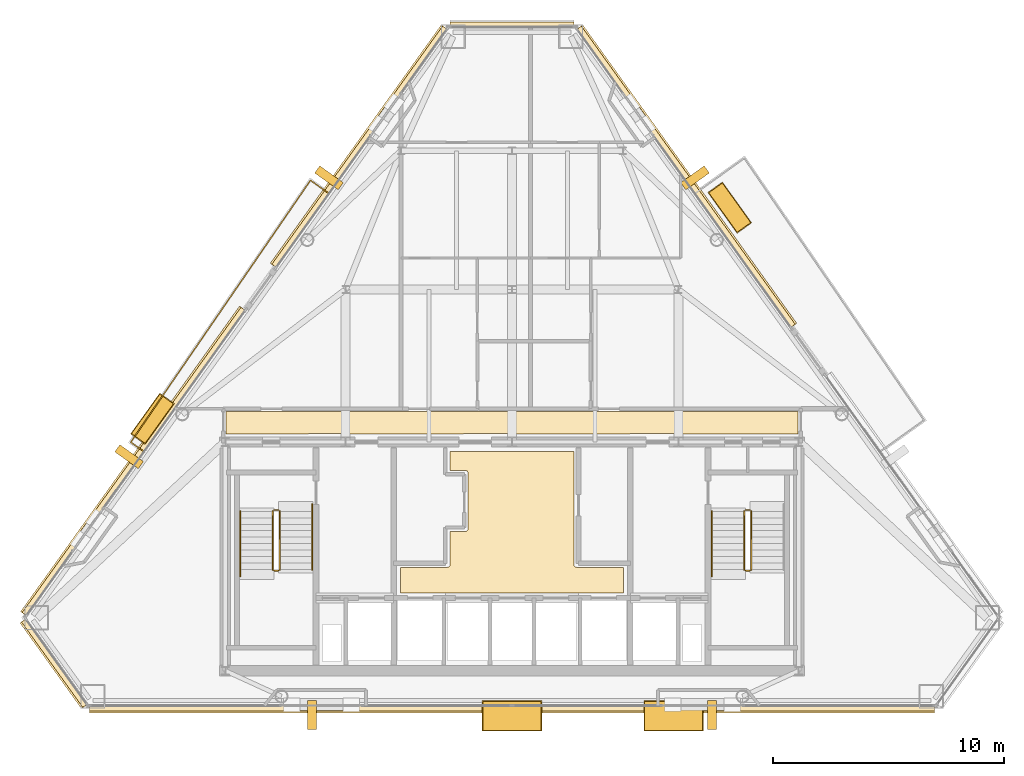
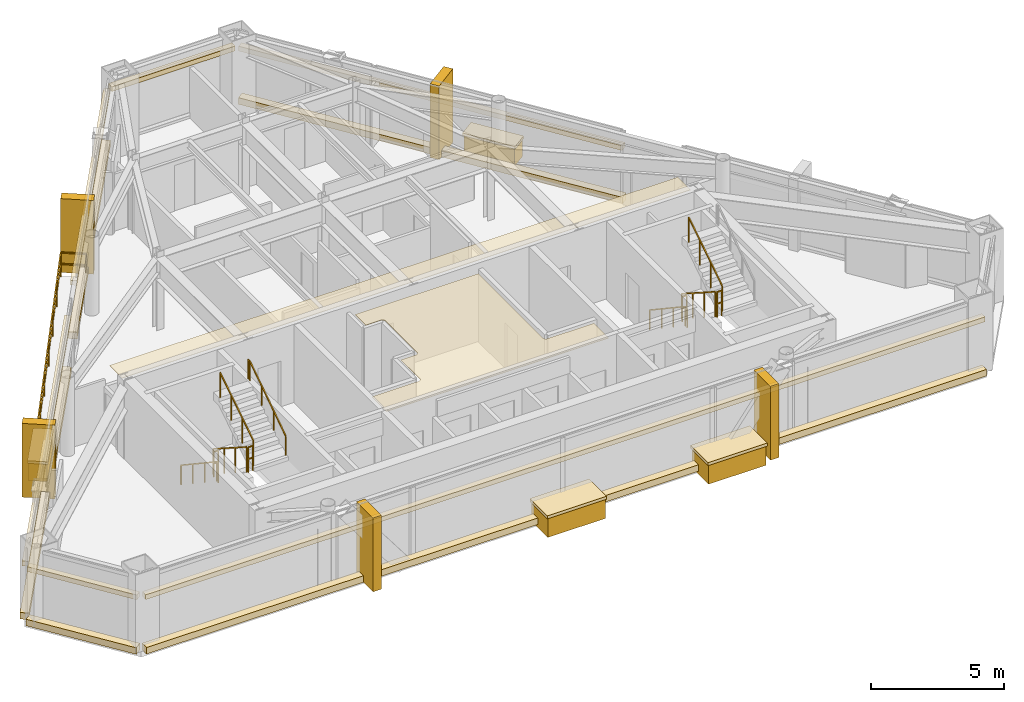
# One storey, part 10 of 11: 26 coverings, 12 railings.
"""IFC4 building model written with IfcOpenShell, lengths in metres."""

from ifc_helpers import new_model, si_unit, direction, frame, origin, origin_2d, place, context, subcontext, project, spatial, polyline, rectangle, outline, extrude, material, layer, layer_set, type_object, element, save


model = new_model("IFC4")

# Units and contexts
model_context = context("Model", 3, precision=1e-05, world=origin(), true_north=direction((0.0, 1.0)))
body_context = subcontext(model_context, "Body", "Model", "MODEL_VIEW")
ifc_project = project(units=[si_unit("LENGTHUNIT", "METRE"), si_unit("AREAUNIT", "SQUARE_METRE"), si_unit("VOLUMEUNIT", "CUBIC_METRE"), si_unit("PLANEANGLEUNIT", "RADIAN"), si_unit("MASSUNIT", "GRAM", prefix="KILO")], contexts=[model_context])

# Site, building, storey
site_placement = place(None, origin())
site = spatial("IfcSite", under=ifc_project, at=site_placement, CompositionType="ELEMENT")
building_placement = place(site_placement, origin())
building = spatial("IfcBuilding", under=site, at=building_placement, Name="Talgorran Terracotta Tower", CompositionType="ELEMENT")
storey_placement = place(building_placement, frame((0.0, 0.0, 233.39990234375)))
storey = spatial("IfcBuildingStorey", under=building, at=storey_placement, Name="L61", CompositionType="ELEMENT", Elevation=233.39990234375)

# Coverings
ifc_material_1 = material(Name="Kiln-Fired Terracotta Ochre Ceramic", Category="masonry")
ifc_layer_1 = layer(ifc_material_1, 0.179931640625, Name="COV_BAGUETTE_TERRACOTTA_SCREEN")
ifc_layer_set_1 = layer_set([ifc_layer_1], Name="Kiln-Fired Terracotta Ochre Ceramic")
covering_type_1 = type_object("IfcCoveringType", Name="COV_BAGUETTE_TERRACOTTA_SCREEN", PredefinedType="CLADDING", material=ifc_layer_set_1)
covering_1_placement = place(storey_placement, frame((-19.7880859375, -13.76318359375, 2.41015625), z_axis=(0.0, 0.0, 1.0), x_axis=(0.582662110936, -0.812714503673, 0.0)))
element("IfcCovering", 1, at=covering_1_placement, inside=storey, type_object=covering_type_1, Name="L61 Terracotta Baguette Solar Screen Assembly F0", PredefinedType="CLADDING", context=body_context, shape_type="SweptSolid", body=[
    extrude(rectangle(XDim=4.542724609375, YDim=0.260009765625, at=origin_2d()), origin(), (0.0, 0.0, 1.0), 0.219970703125),
])
covering_2_placement = place(storey_placement, frame((0.0, -15.707763671875, 2.41015625), z_axis=(0.0, 0.0, 1.0), x_axis=(1.0, 0.0, 0.0)))
element("IfcCovering", 2, at=covering_2_placement, inside=storey, type_object=covering_type_1, Name="L61 Terracotta Baguette Solar Screen Assembly F1", PredefinedType="CLADDING", context=body_context, shape_type="SweptSolid", body=[
    extrude(rectangle(XDim=36.545166015625, YDim=0.260009765625, at=origin_2d()), origin(), (0.0, 0.0, 1.0), 0.219970703125),
])
covering_3_placement = place(storey_placement, frame((7.521728515625, 7.2685546875, 2.41015625), z_axis=(0.0, 0.0, 1.0), x_axis=(-0.582662110936, 0.812714503673, 0.0)))
element("IfcCovering", 3, at=covering_3_placement, inside=storey, type_object=covering_type_1, Name="L61 Terracotta Baguette Solar Screen Assembly F41", PredefinedType="CLADDING", context=body_context, shape_type="SweptSolid", body=[
    extrude(rectangle(XDim=15.8701171875, YDim=0.260009765625, at=origin_2d()), origin(), (0.0, 0.0, 1.0), 0.219970703125),
])
covering_4_placement = place(storey_placement, frame((0.0, 13.8486328125, 2.41015625), z_axis=(0.0, 0.0, 1.0), x_axis=(-1.0, 0.0, 0.0)))
element("IfcCovering", 4, at=covering_4_placement, inside=storey, type_object=covering_type_1, Name="L61 Terracotta Baguette Solar Screen Assembly F4", PredefinedType="CLADDING", context=body_context, shape_type="SweptSolid", body=[
    extrude(rectangle(XDim=5.36572265625, YDim=0.260009765625, at=origin_2d()), origin(), (0.0, 0.0, 1.0), 0.219970703125),
])
covering_5_placement = place(storey_placement, frame((-6.5908203125, 8.56689453125, 2.41015625), z_axis=(0.0, 0.0, 1.0), x_axis=(-0.582662110936, -0.812714503673, 0.0)))
element("IfcCovering", 5, at=covering_5_placement, inside=storey, type_object=covering_type_1, Name="L61 Terracotta Baguette Solar Screen Assembly F60", PredefinedType="CLADDING", context=body_context, shape_type="SweptSolid", body=[
    extrude(rectangle(XDim=12.675048828125, YDim=0.260009765625, at=origin_2d()), origin(), (0.0, 0.0, 1.0), 0.219970703125),
])
covering_6_placement = place(storey_placement, frame((-16.35595703125, -5.0537109375, 2.41015625), z_axis=(0.0, 0.0, 1.0), x_axis=(-0.582662110936, -0.812714503673, 0.0)))
element("IfcCovering", 6, at=covering_6_placement, inside=storey, type_object=covering_type_1, Name="L61 Terracotta Baguette Solar Screen Assembly F61", PredefinedType="CLADDING", context=body_context, shape_type="SweptSolid", body=[
    extrude(rectangle(XDim=16.24365234375, YDim=0.260009765625, at=origin_2d()), origin(), (0.0, 0.0, 1.0), 0.219970703125),
])
ifc_material_2 = material(Name="Mineral Fibre Acoustic Tile")
ifc_layer_2 = layer(ifc_material_2, 0.02490234375, Name="COV_CEIL_ACOUSTIC")
ifc_layer_set_2 = layer_set([ifc_layer_2], Name="Mineral Fibre Acoustic Tile")
covering_type_2 = type_object("IfcCoveringType", Name="COV_CEIL_ACOUSTIC", PredefinedType="CEILING", material=ifc_layer_set_2)
covering_7_placement = place(storey_placement, frame((0.0, 0.0, 3.255126953125)))
element("IfcCovering", 7, at=covering_7_placement, inside=storey, type_object=covering_type_2, Name="CEIL-L61-2", PredefinedType="CEILING", context=body_context, shape_type="SweptSolid", body=[
    extrude(outline(polyline([(-12.364990234375, -2.885009765625), (12.364990234375, -2.885009765625), (12.364990234375, -3.844970703125), (7.432861328125, -3.844970703125), (6.968017578125, -3.843017578125), (6.967529296875, -3.843017578125), (0.232666015625, -3.844970703125), (-0.23193359375, -3.843017578125), (-0.232421875, -3.843017578125), (-6.96728515625, -3.844970703125), (-7.431884765625, -3.843017578125), (-7.4326171875, -3.843017578125), (-12.364990234375, -3.844970703125), (-12.364990234375, -2.885009765625)])), origin(), (0.0, 0.0, 1.0), 0.02001953125),
])
ifc_material_3 = material(Name="Flush Moisture-Resistant Plaster")
ifc_layer_3 = layer(ifc_material_3, 0.01806640625, Name="COV_CEIL_PLASTER")
ifc_layer_set_3 = layer_set([ifc_layer_3], Name="Flush Moisture-Resistant Plaster")
covering_type_3 = type_object("IfcCoveringType", Name="COV_CEIL_PLASTER", PredefinedType="CEILING", material=ifc_layer_set_3)
covering_8_placement = place(storey_placement, frame((0.0, 0.0, 3.255126953125)))
element("IfcCovering", 8, at=covering_8_placement, inside=storey, type_object=covering_type_3, Name="CEIL-L61-1", PredefinedType="CEILING", context=body_context, shape_type="SweptSolid", body=[
    extrude(outline(polyline([(2.679931640625, -4.6201171875), (2.679931640625, -9.5), (2.6806640625, -9.51171875), (2.682373046875, -9.5234375), (2.685302734375, -9.534912109375), (2.689208984375, -9.5458984375), (2.694091796875, -9.556640625), (2.7001953125, -9.566650390625), (2.707275390625, -9.576171875), (2.715087890625, -9.5849609375), (2.723876953125, -9.5927734375), (2.7333984375, -9.599853515625), (2.743408203125, -9.605712890625), (2.754150390625, -9.61083984375), (2.76513671875, -9.61474609375), (2.776611328125, -9.61767578125), (2.7880859375, -9.619384765625), (2.800048828125, -9.6201171875), (4.830078125, -9.6201171875), (4.830078125, -10.72998046875), (-4.830078125, -10.72998046875), (-4.830078125, -9.6201171875), (-2.800048828125, -9.6201171875), (-2.7880859375, -9.619384765625), (-2.776611328125, -9.61767578125), (-2.76513671875, -9.61474609375), (-2.754150390625, -9.61083984375), (-2.743408203125, -9.605712890625), (-2.7333984375, -9.599853515625), (-2.723876953125, -9.5927734375), (-2.715087890625, -9.5849609375), (-2.707275390625, -9.576171875), (-2.7001953125, -9.566650390625), (-2.694091796875, -9.556640625), (-2.689208984375, -9.5458984375), (-2.685302734375, -9.534912109375), (-2.682373046875, -9.5234375), (-2.6806640625, -9.51171875), (-2.679931640625, -9.5), (-2.679931640625, -8.070068359375), (-2.02001953125, -8.070068359375), (-2.00830078125, -8.0693359375), (-1.99658203125, -8.067626953125), (-1.985107421875, -8.064697265625), (-1.97412109375, -8.060791015625), (-1.96337890625, -8.055908203125), (-1.953369140625, -8.0498046875), (-1.94384765625, -8.042724609375), (-1.93505859375, -8.034912109375), (-1.92724609375, -8.026123046875), (-1.920166015625, -8.0166015625), (-1.914306640625, -8.006591796875), (-1.9091796875, -7.995849609375), (-1.9052734375, -7.98486328125), (-1.90234375, -7.973388671875), (-1.900634765625, -7.9619140625), (-1.89990234375, -7.949951171875), (-1.89990234375, -5.550048828125), (-1.900634765625, -5.5380859375), (-1.90234375, -5.526611328125), (-1.9052734375, -5.51513671875), (-1.9091796875, -5.504150390625), (-1.914306640625, -5.493408203125), (-1.920166015625, -5.4833984375), (-1.92724609375, -5.473876953125), (-1.93505859375, -5.465087890625), (-1.94384765625, -5.457275390625), (-1.953369140625, -5.4501953125), (-1.96337890625, -5.444091796875), (-1.97412109375, -5.439208984375), (-1.985107421875, -5.435302734375), (-1.99658203125, -5.432373046875), (-2.00830078125, -5.4306640625), (-2.02001953125, -5.429931640625), (-2.679931640625, -5.429931640625), (-2.679931640625, -4.6201171875), (2.679931640625, -4.6201171875)])), origin(), (0.0, 0.0, 1.0), 0.02001953125),
])
ifc_material_4 = material(Name="Honed Limestone and Terracotta Planter", Category="masonry")
ifc_layer_4 = layer(ifc_material_4, 0.1201171875, Name="COV_PLANTER_BOX")
ifc_layer_set_4 = layer_set([ifc_layer_4], Name="Honed Limestone and Terracotta Planter")
covering_type_4 = type_object("IfcCoveringType", Name="COV_PLANTER_BOX", PredefinedType="CLADDING", material=ifc_layer_set_4)
for number, where, z_axis, x_axis, name in (
    (9, (0.0, -16.0478515625, -0.179931640625), (0.0, 0.0, 1.0), (1.0, 0.0, 0.0), "L61 Staggered South Facade Planter Box 1"),
    (10, (6.99365234375, -16.0478515625, -0.179931640625), (0.0, 0.0, 1.0), (1.0, 0.0, 0.0), "L61 Staggered South Facade Planter Box 2"),
):
    element("IfcCovering", number, at=place(storey_placement, frame(where, z_axis=z_axis, x_axis=x_axis)), inside=storey, type_object=covering_type_4, Name=name, PredefinedType="CLADDING", context=body_context, shape_type="SweptSolid", body=[
        extrude(rectangle(XDim=2.5, YDim=1.25, at=origin_2d()), origin(), (0.0, 0.0, 1.0), 0.919921875),
    ])
for number, where, z_axis, x_axis, name in (
    (11, (9.422119140625, 5.939453125, -0.02001953125), (0.0, 0.0, 1.0), (-0.582662110936, 0.812714503673, 0.0), "L61 Staggered Balcony Planter Box BAL-NE"),
    (12, (-15.55810546875, -3.194091796875, -0.02001953125), (0.0, 0.0, 1.0), (-0.582662110936, -0.812714503673, 0.0), "L61 Staggered Balcony Planter Box BAL-NW"),
):
    element("IfcCovering", number, at=place(storey_placement, frame(where, z_axis=z_axis, x_axis=x_axis)), inside=storey, type_object=covering_type_4, Name=name, PredefinedType="CLADDING", context=body_context, shape_type="SweptSolid", body=[
        extrude(rectangle(XDim=2.10009765625, YDim=0.719970703125, at=origin_2d()), origin(), (0.0, 0.0, 1.0), 0.860107421875),
    ])
ifc_material_5 = material(Name="Kiln-Fired Terracotta Planter Rim", Category="masonry")
ifc_layer_5 = layer(ifc_material_5, 0.10009765625, Name="COV_PLANTER_RIM")
ifc_layer_set_5 = layer_set([ifc_layer_5], Name="Kiln-Fired Terracotta Planter Rim")
covering_type_5 = type_object("IfcCoveringType", Name="COV_PLANTER_RIM", PredefinedType="CLADDING", material=ifc_layer_set_5)
for number, where, z_axis, x_axis, name in (
    (13, (0.0, -16.0478515625, 0.7099609375), (0.0, 0.0, 1.0), (1.0, 0.0, 0.0), "L61 South Planter Terracotta Rim 1"),
    (14, (6.99365234375, -16.0478515625, 0.7099609375), (0.0, 0.0, 1.0), (1.0, 0.0, 0.0), "L61 South Planter Terracotta Rim 2"),
):
    element("IfcCovering", number, at=place(storey_placement, frame(where, z_axis=z_axis, x_axis=x_axis)), inside=storey, type_object=covering_type_5, Name=name, PredefinedType="CLADDING", context=body_context, shape_type="SweptSolid", body=[
        extrude(rectangle(XDim=2.580078125, YDim=1.320068359375, at=origin_2d()), origin(), (0.0, 0.0, 1.0), 0.139892578125),
    ])
for number, where, z_axis, x_axis, name in (
    (15, (9.422119140625, 5.939453125, 0.800048828125), (0.0, 0.0, 1.0), (-0.582662110936, 0.812714503673, 0.0), "L61 Balcony Planter Terracotta Rim BAL-NE"),
    (16, (-15.55810546875, -3.194091796875, 0.800048828125), (0.0, 0.0, 1.0), (-0.582662110936, -0.812714503673, 0.0), "L61 Balcony Planter Terracotta Rim BAL-NW"),
):
    element("IfcCovering", number, at=place(storey_placement, frame(where, z_axis=z_axis, x_axis=x_axis)), inside=storey, type_object=covering_type_5, Name=name, PredefinedType="CLADDING", context=body_context, shape_type="SweptSolid", body=[
        extrude(rectangle(XDim=2.179931640625, YDim=0.780029296875, at=origin_2d()), origin(), (0.0, 0.0, 1.0), 0.1201171875),
    ])
ifc_material_6 = material(Name="Honed Limestone Cladding", Category="masonry")
ifc_layer_6 = layer(ifc_material_6, 0.094970703125, Name="COV_PORTAL_LIME")
ifc_layer_set_6 = layer_set([ifc_layer_6], Name="Honed Limestone Cladding")
covering_type_6 = type_object("IfcCoveringType", Name="COV_PORTAL_LIME", PredefinedType="CLADDING", material=ifc_layer_set_6)
for number, where, z_axis, x_axis, name in (
    (17, (-8.64990234375, -16.0078125, -0.0498046875), (0.0, 0.0, 1.0), (1.0, 0.0, 0.0), "L61 White Striped Portal Fin F1-1"),
    (18, (-7.919189453125, 7.22900390625, -0.0498046875), (0.0, 0.0, 1.0), (-0.582662110936, -0.812714503673, 0.0), "L61 White Striped Portal Fin F5-1"),
):
    element("IfcCovering", number, at=place(storey_placement, frame(where, z_axis=z_axis, x_axis=x_axis)), inside=storey, type_object=covering_type_6, Name=name, PredefinedType="CLADDING", context=body_context, shape_type="SweptSolid", body=[
        extrude(rectangle(XDim=0.3798828125, YDim=1.25, at=origin_2d()), origin(), (0.0, 0.0, 1.0), 3.39501953125),
    ])
ifc_material_7 = material(Name="Kiln-Fired Terracotta Cladding", Category="masonry")
ifc_layer_7 = layer(ifc_material_7, 0.090087890625, Name="COV_PORTAL_TERRA")
ifc_layer_set_7 = layer_set([ifc_layer_7], Name="Kiln-Fired Terracotta Cladding")
covering_type_7 = type_object("IfcCoveringType", Name="COV_PORTAL_TERRA", PredefinedType="CLADDING", material=ifc_layer_set_7)
covering_9_placement = place(storey_placement, frame((-19.820556640625, -13.78662109375, -0.0400390625), z_axis=(0.0, 0.0, 1.0), x_axis=(0.582662110936, -0.812714503673, 0.0)))
element("IfcCovering", 19, at=covering_9_placement, inside=storey, type_object=covering_type_7, Name="L61 Striped Postmodern Portal Cladding Band F0", PredefinedType="CLADDING", context=body_context, shape_type="SweptSolid", body=[
    extrude(rectangle(XDim=4.562744140625, YDim=0.340087890625, at=origin_2d()), origin(), (0.0, 0.0, 1.0), 0.300048828125),
])
covering_10_placement = place(storey_placement, frame((0.0, -15.747802734375, -0.0400390625), z_axis=(0.0, 0.0, 1.0), x_axis=(1.0, 0.0, 0.0)))
element("IfcCovering", 20, at=covering_10_placement, inside=storey, type_object=covering_type_7, Name="L61 Striped Postmodern Portal Cladding Band F1", PredefinedType="CLADDING", context=body_context, shape_type="SweptSolid", body=[
    extrude(rectangle(XDim=36.565185546875, YDim=0.340087890625, at=origin_2d()), origin(), (0.0, 0.0, 1.0), 0.300048828125),
])
covering_11_placement = place(storey_placement, frame((7.55419921875, 7.291748046875, -0.0400390625), z_axis=(0.0, 0.0, 1.0), x_axis=(-0.582662110936, 0.812714503673, 0.0)))
element("IfcCovering", 21, at=covering_11_placement, inside=storey, type_object=covering_type_7, Name="L61 Striped Postmodern Portal Cladding Band F41", PredefinedType="CLADDING", context=body_context, shape_type="SweptSolid", body=[
    extrude(rectangle(XDim=15.89013671875, YDim=0.340087890625, at=origin_2d()), origin(), (0.0, 0.0, 1.0), 0.300048828125),
])
covering_12_placement = place(storey_placement, frame((-6.623291015625, 8.590087890625, -0.0400390625), z_axis=(0.0, 0.0, 1.0), x_axis=(-0.582662110936, -0.812714503673, 0.0)))
element("IfcCovering", 22, at=covering_12_placement, inside=storey, type_object=covering_type_7, Name="L61 Striped Postmodern Portal Cladding Band F60", PredefinedType="CLADDING", context=body_context, shape_type="SweptSolid", body=[
    extrude(rectangle(XDim=12.695068359375, YDim=0.340087890625, at=origin_2d()), origin(), (0.0, 0.0, 1.0), 0.300048828125),
])
covering_13_placement = place(storey_placement, frame((-16.388427734375, -5.0302734375, -0.0400390625), z_axis=(0.0, 0.0, 1.0), x_axis=(-0.582662110936, -0.812714503673, 0.0)))
element("IfcCovering", 23, at=covering_13_placement, inside=storey, type_object=covering_type_7, Name="L61 Striped Postmodern Portal Cladding Band F61", PredefinedType="CLADDING", context=body_context, shape_type="SweptSolid", body=[
    extrude(rectangle(XDim=16.263671875, YDim=0.340087890625, at=origin_2d()), origin(), (0.0, 0.0, 1.0), 0.300048828125),
])
for number, where, z_axis, x_axis, name in (
    (24, (8.64990234375, -16.0078125, -0.0498046875), (0.0, 0.0, 1.0), (1.0, 0.0, 0.0), "L61 Terracotta Striped Portal Fin F1-2"),
    (25, (7.919189453125, 7.22900390625, -0.0498046875), (0.0, 0.0, 1.0), (-0.582662110936, 0.812714503673, 0.0), "L61 Terracotta Striped Portal Fin F3-2"),
    (26, (-16.569091796875, -4.836181640625, -0.0498046875), (0.0, 0.0, 1.0), (-0.582662110936, -0.812714503673, 0.0), "L61 Terracotta Striped Portal Fin F5-2"),
):
    element("IfcCovering", number, at=place(storey_placement, frame(where, z_axis=z_axis, x_axis=x_axis)), inside=storey, type_object=covering_type_7, Name=name, PredefinedType="CLADDING", context=body_context, shape_type="SweptSolid", body=[
        extrude(rectangle(XDim=0.3798828125, YDim=1.25, at=origin_2d()), origin(), (0.0, 0.0, 1.0), 3.39501953125),
    ])

# Railings
ifc_material_8 = material(Name="Laminated Glass and Stainless Steel 316", Category="steel")
railing_type_1 = type_object("IfcRailingType", Name="RL_BALCONY_1150", PredefinedType="BALUSTRADE", material=ifc_material_8)
railing_1_placement = place(storey_placement, frame((-7.93310546875, 6.5576171875, 0.0)))
element("IfcRailing", 27, at=railing_1_placement, inside=storey, type_object=railing_type_1, Name="RL-L61-BAL-BAL-NW", PredefinedType="BALUSTRADE", context=body_context, shape_type="SweptSolid", body=[
    extrude(rectangle(XDim=0.048095703125, YDim=0.048095703125, at=origin_2d()), frame((0.0, 0.0, 1.1259765625), z_axis=(-0.812743446755, 0.582621738143, 0.0), x_axis=(-0.582621738143, -0.812743446755, 0.0)), (0.0, 0.0, 1.0), 0.967529296875),
    extrude(rectangle(XDim=0.048095703125, YDim=0.048095703125, at=origin_2d()), frame((0.0, 0.0, 0.597900390625), z_axis=(-0.812743446755, 0.582621738143, 0.0), x_axis=(-0.582621738143, -0.812743446755, 0.0)), (0.0, 0.0, 1.0), 0.967529296875),
    extrude(rectangle(XDim=0.048095703125, YDim=0.048095703125, at=origin_2d()), frame((-0.786376953125, 0.563720703125, 1.1259765625), z_axis=(-0.565819049911, -0.824529443233, 0.0), x_axis=(0.824529443233, -0.565819049911, 0.0)), (0.0, 0.0, 1.0), 13.740966796875),
    extrude(rectangle(XDim=0.048095703125, YDim=0.048095703125, at=origin_2d()), frame((-0.786376953125, 0.563720703125, 0.597900390625), z_axis=(-0.565819049911, -0.824529443233, 0.0), x_axis=(0.824529443233, -0.565819049911, 0.0)), (0.0, 0.0, 1.0), 13.740966796875),
    extrude(rectangle(XDim=0.048095703125, YDim=0.048095703125, at=origin_2d()), frame((-8.561279296875, -10.76611328125, 1.1259765625), z_axis=(0.812817127574, -0.582518941428, 0.0), x_axis=(0.582518941428, 0.812817127574, 0.0)), (0.0, 0.0, 1.0), 0.684814453125),
    extrude(rectangle(XDim=0.048095703125, YDim=0.048095703125, at=origin_2d()), frame((-8.561279296875, -10.76611328125, 0.597900390625), z_axis=(0.812817127574, -0.582518941428, 0.0), x_axis=(0.582518941428, 0.812817127574, 0.0)), (0.0, 0.0, 1.0), 0.684814453125),
    extrude(rectangle(XDim=0.0419921875, YDim=0.0419921875, at=origin_2d()), origin(), (0.0, 0.0, 1.0), 1.101806640625),
    extrude(rectangle(XDim=0.0419921875, YDim=0.0419921875, at=origin_2d()), frame((-0.786376953125, 0.563720703125, 0.0)), (0.0, 0.0, 1.0), 1.101806640625),
    extrude(rectangle(XDim=0.0419921875, YDim=0.0419921875, at=origin_2d()), frame((-1.89697265625, -1.054931640625, 0.0)), (0.0, 0.0, 1.0), 1.101806640625),
    extrude(rectangle(XDim=0.0419921875, YDim=0.0419921875, at=origin_2d()), frame((-3.0078125, -2.67333984375, 0.0)), (0.0, 0.0, 1.0), 1.101806640625),
    extrude(rectangle(XDim=0.0419921875, YDim=0.0419921875, at=origin_2d()), frame((-4.118408203125, -4.2919921875, 0.0)), (0.0, 0.0, 1.0), 1.101806640625),
    extrude(rectangle(XDim=0.0419921875, YDim=0.0419921875, at=origin_2d()), frame((-5.229248046875, -5.910400390625, 0.0)), (0.0, 0.0, 1.0), 1.101806640625),
    extrude(rectangle(XDim=0.0419921875, YDim=0.0419921875, at=origin_2d()), frame((-6.33984375, -7.529052734375, 0.0)), (0.0, 0.0, 1.0), 1.101806640625),
    extrude(rectangle(XDim=0.0419921875, YDim=0.0419921875, at=origin_2d()), frame((-7.45068359375, -9.1474609375, 0.0)), (0.0, 0.0, 1.0), 1.101806640625),
    extrude(rectangle(XDim=0.0419921875, YDim=0.0419921875, at=origin_2d()), frame((-8.561279296875, -10.76611328125, 0.0)), (0.0, 0.0, 1.0), 1.101806640625),
    extrude(rectangle(XDim=0.0419921875, YDim=0.0419921875, at=origin_2d()), frame((-8.004638671875, -11.1650390625, 0.0)), (0.0, 0.0, 1.0), 1.101806640625),
])
ifc_material_9 = material(Name="Steel S355 (300PLUS)", Category="steel")
railing_type_2 = type_object("IfcRailingType", Name="RL_HANDRAIL_920", PredefinedType="HANDRAIL", material=ifc_material_9)
railing_2_placement = place(storey_placement, frame((-11.75, -7.199951171875, 0.18017578125)))
element("IfcRailing", 28, at=railing_2_placement, inside=storey, type_object=railing_type_2, Name="L61 ST-01 stair handrail 1", PredefinedType="HANDRAIL", context=body_context, shape_type="SweptSolid", body=[
    extrude(rectangle(XDim=0.048095703125, YDim=0.048095703125, at=origin_2d()), frame((0.0, 0.0, 0.89599609375), z_axis=(0.0, -0.832073444223, 0.554665469827), x_axis=(1.0, 0.0, 0.0)), (0.0, 0.0, 1.0), 3.244873046875),
    extrude(rectangle(XDim=0.048095703125, YDim=0.048095703125, at=origin_2d()), frame((0.0, -2.699951171875, 2.69580078125), z_axis=(0.0, -1.0, 0.0), x_axis=(1.0, 0.0, 0.0)), (0.0, 0.0, 1.0), 0.1201171875),
    extrude(rectangle(XDim=0.0419921875, YDim=0.0419921875, at=origin_2d()), origin(), (0.0, 0.0, 1.0), 0.871826171875),
    extrude(rectangle(XDim=0.0419921875, YDim=0.0419921875, at=origin_2d()), frame((0.0, -0.89990234375, 0.599853515625)), (0.0, 0.0, 1.0), 0.871826171875),
    extrude(rectangle(XDim=0.0419921875, YDim=0.0419921875, at=origin_2d()), frame((0.0, -1.800048828125, 1.199951171875)), (0.0, 0.0, 1.0), 0.871826171875),
    extrude(rectangle(XDim=0.0419921875, YDim=0.0419921875, at=origin_2d()), frame((0.0, -2.699951171875, 1.7998046875)), (0.0, 0.0, 1.0), 0.871826171875),
    extrude(rectangle(XDim=0.0419921875, YDim=0.0419921875, at=origin_2d()), frame((0.0, -2.820068359375, 1.7998046875)), (0.0, 0.0, 1.0), 0.871826171875),
])
railing_3_placement = place(storey_placement, frame((-8.64990234375, -9.719970703125, 1.97998046875)))
element("IfcRailing", 29, at=railing_3_placement, inside=storey, type_object=railing_type_2, Name="L61 ST-01 stair handrail 2", PredefinedType="HANDRAIL", context=body_context, shape_type="SweptSolid", body=[
    extrude(rectangle(XDim=0.048095703125, YDim=0.048095703125, at=origin_2d()), frame((0.0, 0.0, 0.89599609375), z_axis=(0.0, 0.832038719335, 0.554717558338), x_axis=(-1.0, 0.0, 0.0)), (0.0, 0.0, 1.0), 3.244873046875),
    extrude(rectangle(XDim=0.048095703125, YDim=0.048095703125, at=origin_2d()), frame((0.0, 2.699951171875, 2.69580078125), z_axis=(0.0, 1.0, 0.0), x_axis=(-1.0, 0.0, 0.0)), (0.0, 0.0, 1.0), 0.1201171875),
    extrude(rectangle(XDim=0.0419921875, YDim=0.0419921875, at=origin_2d()), origin(), (0.0, 0.0, 1.0), 0.871826171875),
    extrude(rectangle(XDim=0.0419921875, YDim=0.0419921875, at=origin_2d()), frame((0.0, 0.89990234375, 0.60009765625)), (0.0, 0.0, 1.0), 0.871826171875),
    extrude(rectangle(XDim=0.0419921875, YDim=0.0419921875, at=origin_2d()), frame((0.0, 1.800048828125, 1.199951171875)), (0.0, 0.0, 1.0), 0.871826171875),
    extrude(rectangle(XDim=0.0419921875, YDim=0.0419921875, at=origin_2d()), frame((0.0, 2.699951171875, 1.800048828125)), (0.0, 0.0, 1.0), 0.871826171875),
    extrude(rectangle(XDim=0.0419921875, YDim=0.0419921875, at=origin_2d()), frame((0.0, 2.820068359375, 1.800048828125)), (0.0, 0.0, 1.0), 0.871826171875),
])
railing_4_placement = place(storey_placement, frame((8.64990234375, -7.199951171875, 0.18017578125)))
element("IfcRailing", 30, at=railing_4_placement, inside=storey, type_object=railing_type_2, Name="L61 ST-02 stair handrail 1", PredefinedType="HANDRAIL", context=body_context, shape_type="SweptSolid", body=[
    extrude(rectangle(XDim=0.048095703125, YDim=0.048095703125, at=origin_2d()), frame((0.0, 0.0, 0.89599609375), z_axis=(0.0, -0.832073444223, 0.554665469827), x_axis=(1.0, 0.0, 0.0)), (0.0, 0.0, 1.0), 3.244873046875),
    extrude(rectangle(XDim=0.048095703125, YDim=0.048095703125, at=origin_2d()), frame((0.0, -2.699951171875, 2.69580078125), z_axis=(0.0, -1.0, 0.0), x_axis=(1.0, 0.0, 0.0)), (0.0, 0.0, 1.0), 0.1201171875),
    extrude(rectangle(XDim=0.0419921875, YDim=0.0419921875, at=origin_2d()), origin(), (0.0, 0.0, 1.0), 0.871826171875),
    extrude(rectangle(XDim=0.0419921875, YDim=0.0419921875, at=origin_2d()), frame((0.0, -0.89990234375, 0.599853515625)), (0.0, 0.0, 1.0), 0.871826171875),
    extrude(rectangle(XDim=0.0419921875, YDim=0.0419921875, at=origin_2d()), frame((0.0, -1.800048828125, 1.199951171875)), (0.0, 0.0, 1.0), 0.871826171875),
    extrude(rectangle(XDim=0.0419921875, YDim=0.0419921875, at=origin_2d()), frame((0.0, -2.699951171875, 1.7998046875)), (0.0, 0.0, 1.0), 0.871826171875),
    extrude(rectangle(XDim=0.0419921875, YDim=0.0419921875, at=origin_2d()), frame((0.0, -2.820068359375, 1.7998046875)), (0.0, 0.0, 1.0), 0.871826171875),
])
railing_type_3 = type_object("IfcRailingType", Name="RL_STAIR_GUARD", PredefinedType="GUARDRAIL", material=ifc_material_9)
railing_5_placement = place(storey_placement, frame((-10.35009765625, -7.199951171875, 0.18017578125)))
element("IfcRailing", 31, at=railing_5_placement, inside=storey, type_object=railing_type_3, Name="L61 ST-01 stair guard 1", PredefinedType="GUARDRAIL", context=body_context, shape_type="SweptSolid", body=[
    extrude(rectangle(XDim=0.048095703125, YDim=0.048095703125, at=origin_2d()), frame((0.0, 0.0, 1.15576171875), z_axis=(0.0, -0.841199657755, 0.540724639528), x_axis=(1.0, 0.0, 0.0)), (0.0, 0.0, 1.0), 2.995849609375),
    extrude(rectangle(XDim=0.0419921875, YDim=0.0419921875, at=origin_2d()), origin(), (0.0, 0.0, 1.0), 1.1318359375),
    extrude(rectangle(XDim=0.0419921875, YDim=0.0419921875, at=origin_2d()), frame((0.0, -0.840087890625, 0.5400390625)), (0.0, 0.0, 1.0), 1.1318359375),
    extrude(rectangle(XDim=0.0419921875, YDim=0.0419921875, at=origin_2d()), frame((0.0, -1.679931640625, 1.079833984375)), (0.0, 0.0, 1.0), 1.1318359375),
    extrude(rectangle(XDim=0.0419921875, YDim=0.0419921875, at=origin_2d()), frame((0.0, -2.52001953125, 1.619873046875)), (0.0, 0.0, 1.0), 1.1318359375),
])
railing_6_placement = place(storey_placement, frame((-10.300048828125, -9.77001953125, 1.800048828125)))
element("IfcRailing", 32, at=railing_6_placement, inside=storey, type_object=railing_type_3, Name="L61 ST-01 stair guard 2", PredefinedType="GUARDRAIL", context=body_context, shape_type="SweptSolid", body=[
    extrude(rectangle(XDim=0.048095703125, YDim=0.048095703125, at=origin_2d()), frame((0.0, 0.0, 1.15576171875), z_axis=(1.0, 0.0, 0.0), x_axis=(0.0, 1.0, 0.0)), (0.0, 0.0, 1.0), 0.199951171875),
    extrude(rectangle(XDim=0.048095703125, YDim=0.048095703125, at=origin_2d()), frame((0.0, 0.0, 0.613525390625), z_axis=(1.0, 0.0, 0.0), x_axis=(0.0, 1.0, 0.0)), (0.0, 0.0, 1.0), 0.199951171875),
    extrude(rectangle(XDim=0.0419921875, YDim=0.0419921875, at=origin_2d()), origin(), (0.0, 0.0, 1.0), 1.1318359375),
    extrude(rectangle(XDim=0.0419921875, YDim=0.0419921875, at=origin_2d()), frame((0.199951171875, 0.0, 0.0)), (0.0, 0.0, 1.0), 1.1318359375),
])
railing_7_placement = place(storey_placement, frame((-10.050048828125, -9.719970703125, 1.97998046875)))
element("IfcRailing", 33, at=railing_7_placement, inside=storey, type_object=railing_type_3, Name="L61 ST-01 stair guard 3", PredefinedType="GUARDRAIL", context=body_context, shape_type="SweptSolid", body=[
    extrude(rectangle(XDim=0.048095703125, YDim=0.048095703125, at=origin_2d()), frame((0.0, 0.0, 1.15576171875), z_axis=(0.0, 0.841162588446, 0.540782303519), x_axis=(-1.0, 0.0, 0.0)), (0.0, 0.0, 1.0), 2.995849609375),
    extrude(rectangle(XDim=0.0419921875, YDim=0.0419921875, at=origin_2d()), origin(), (0.0, 0.0, 1.0), 1.1318359375),
    extrude(rectangle(XDim=0.0419921875, YDim=0.0419921875, at=origin_2d()), frame((0.0, 0.840087890625, 0.5400390625)), (0.0, 0.0, 1.0), 1.1318359375),
    extrude(rectangle(XDim=0.0419921875, YDim=0.0419921875, at=origin_2d()), frame((0.0, 1.679931640625, 1.080078125)), (0.0, 0.0, 1.0), 1.1318359375),
    extrude(rectangle(XDim=0.0419921875, YDim=0.0419921875, at=origin_2d()), frame((0.0, 2.52001953125, 1.6201171875)), (0.0, 0.0, 1.0), 1.1318359375),
])
railing_8_placement = place(storey_placement, frame((-10.300048828125, -7.14990234375, 0.0)))
element("IfcRailing", 34, at=railing_8_placement, inside=storey, type_object=railing_type_3, Name="L61 ST-01 stair guard 4", PredefinedType="GUARDRAIL", context=body_context, shape_type="SweptSolid", body=[
    extrude(rectangle(XDim=0.048095703125, YDim=0.048095703125, at=origin_2d()), frame((0.0, 0.0, 1.15576171875), z_axis=(1.0, 0.0, 0.0), x_axis=(0.0, 1.0, 0.0)), (0.0, 0.0, 1.0), 0.199951171875),
    extrude(rectangle(XDim=0.048095703125, YDim=0.048095703125, at=origin_2d()), frame((0.0, 0.0, 0.613525390625), z_axis=(1.0, 0.0, 0.0), x_axis=(0.0, 1.0, 0.0)), (0.0, 0.0, 1.0), 0.199951171875),
    extrude(rectangle(XDim=0.0419921875, YDim=0.0419921875, at=origin_2d()), origin(), (0.0, 0.0, 1.0), 1.1318359375),
    extrude(rectangle(XDim=0.0419921875, YDim=0.0419921875, at=origin_2d()), frame((0.199951171875, 0.0, 0.0)), (0.0, 0.0, 1.0), 1.1318359375),
])
railing_9_placement = place(storey_placement, frame((10.050048828125, -7.199951171875, 0.18017578125)))
element("IfcRailing", 35, at=railing_9_placement, inside=storey, type_object=railing_type_3, Name="L61 ST-02 stair guard 1", PredefinedType="GUARDRAIL", context=body_context, shape_type="SweptSolid", body=[
    extrude(rectangle(XDim=0.048095703125, YDim=0.048095703125, at=origin_2d()), frame((0.0, 0.0, 1.15576171875), z_axis=(0.0, -0.841199657755, 0.540724639528), x_axis=(1.0, 0.0, 0.0)), (0.0, 0.0, 1.0), 2.995849609375),
    extrude(rectangle(XDim=0.0419921875, YDim=0.0419921875, at=origin_2d()), origin(), (0.0, 0.0, 1.0), 1.1318359375),
    extrude(rectangle(XDim=0.0419921875, YDim=0.0419921875, at=origin_2d()), frame((0.0, -0.840087890625, 0.5400390625)), (0.0, 0.0, 1.0), 1.1318359375),
    extrude(rectangle(XDim=0.0419921875, YDim=0.0419921875, at=origin_2d()), frame((0.0, -1.679931640625, 1.079833984375)), (0.0, 0.0, 1.0), 1.1318359375),
    extrude(rectangle(XDim=0.0419921875, YDim=0.0419921875, at=origin_2d()), frame((0.0, -2.52001953125, 1.619873046875)), (0.0, 0.0, 1.0), 1.1318359375),
])
railing_10_placement = place(storey_placement, frame((10.10009765625, -9.77001953125, 1.800048828125)))
element("IfcRailing", 36, at=railing_10_placement, inside=storey, type_object=railing_type_3, Name="L61 ST-02 stair guard 2", PredefinedType="GUARDRAIL", context=body_context, shape_type="SweptSolid", body=[
    extrude(rectangle(XDim=0.048095703125, YDim=0.048095703125, at=origin_2d()), frame((0.0, 0.0, 1.15576171875), z_axis=(1.0, 0.0, 0.0), x_axis=(0.0, 1.0, 0.0)), (0.0, 0.0, 1.0), 0.199951171875),
    extrude(rectangle(XDim=0.048095703125, YDim=0.048095703125, at=origin_2d()), frame((0.0, 0.0, 0.613525390625), z_axis=(1.0, 0.0, 0.0), x_axis=(0.0, 1.0, 0.0)), (0.0, 0.0, 1.0), 0.199951171875),
    extrude(rectangle(XDim=0.0419921875, YDim=0.0419921875, at=origin_2d()), origin(), (0.0, 0.0, 1.0), 1.1318359375),
    extrude(rectangle(XDim=0.0419921875, YDim=0.0419921875, at=origin_2d()), frame((0.199951171875, 0.0, 0.0)), (0.0, 0.0, 1.0), 1.1318359375),
])
railing_11_placement = place(storey_placement, frame((10.35009765625, -9.719970703125, 1.97998046875)))
element("IfcRailing", 37, at=railing_11_placement, inside=storey, type_object=railing_type_3, Name="L61 ST-02 stair guard 3", PredefinedType="GUARDRAIL", context=body_context, shape_type="SweptSolid", body=[
    extrude(rectangle(XDim=0.048095703125, YDim=0.048095703125, at=origin_2d()), frame((0.0, 0.0, 1.15576171875), z_axis=(0.0, 0.841162588446, 0.540782303519), x_axis=(-1.0, 0.0, 0.0)), (0.0, 0.0, 1.0), 2.995849609375),
    extrude(rectangle(XDim=0.0419921875, YDim=0.0419921875, at=origin_2d()), origin(), (0.0, 0.0, 1.0), 1.1318359375),
    extrude(rectangle(XDim=0.0419921875, YDim=0.0419921875, at=origin_2d()), frame((0.0, 0.840087890625, 0.5400390625)), (0.0, 0.0, 1.0), 1.1318359375),
    extrude(rectangle(XDim=0.0419921875, YDim=0.0419921875, at=origin_2d()), frame((0.0, 1.679931640625, 1.080078125)), (0.0, 0.0, 1.0), 1.1318359375),
    extrude(rectangle(XDim=0.0419921875, YDim=0.0419921875, at=origin_2d()), frame((0.0, 2.52001953125, 1.6201171875)), (0.0, 0.0, 1.0), 1.1318359375),
])
railing_12_placement = place(storey_placement, frame((10.10009765625, -7.14990234375, 0.0)))
element("IfcRailing", 38, at=railing_12_placement, inside=storey, type_object=railing_type_3, Name="L61 ST-02 stair guard 4", PredefinedType="GUARDRAIL", context=body_context, shape_type="SweptSolid", body=[
    extrude(rectangle(XDim=0.048095703125, YDim=0.048095703125, at=origin_2d()), frame((0.0, 0.0, 1.15576171875), z_axis=(1.0, 0.0, 0.0), x_axis=(0.0, 1.0, 0.0)), (0.0, 0.0, 1.0), 0.199951171875),
    extrude(rectangle(XDim=0.048095703125, YDim=0.048095703125, at=origin_2d()), frame((0.0, 0.0, 0.613525390625), z_axis=(1.0, 0.0, 0.0), x_axis=(0.0, 1.0, 0.0)), (0.0, 0.0, 1.0), 0.199951171875),
    extrude(rectangle(XDim=0.0419921875, YDim=0.0419921875, at=origin_2d()), origin(), (0.0, 0.0, 1.0), 1.1318359375),
    extrude(rectangle(XDim=0.0419921875, YDim=0.0419921875, at=origin_2d()), frame((0.199951171875, 0.0, 0.0)), (0.0, 0.0, 1.0), 1.1318359375),
])

save(model, "model.ifc")
